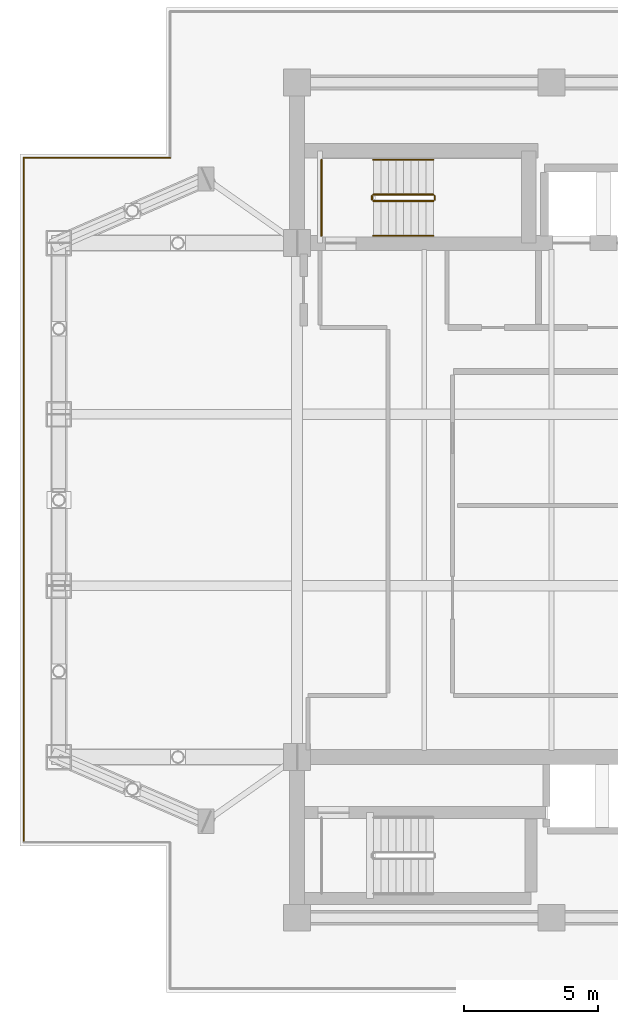
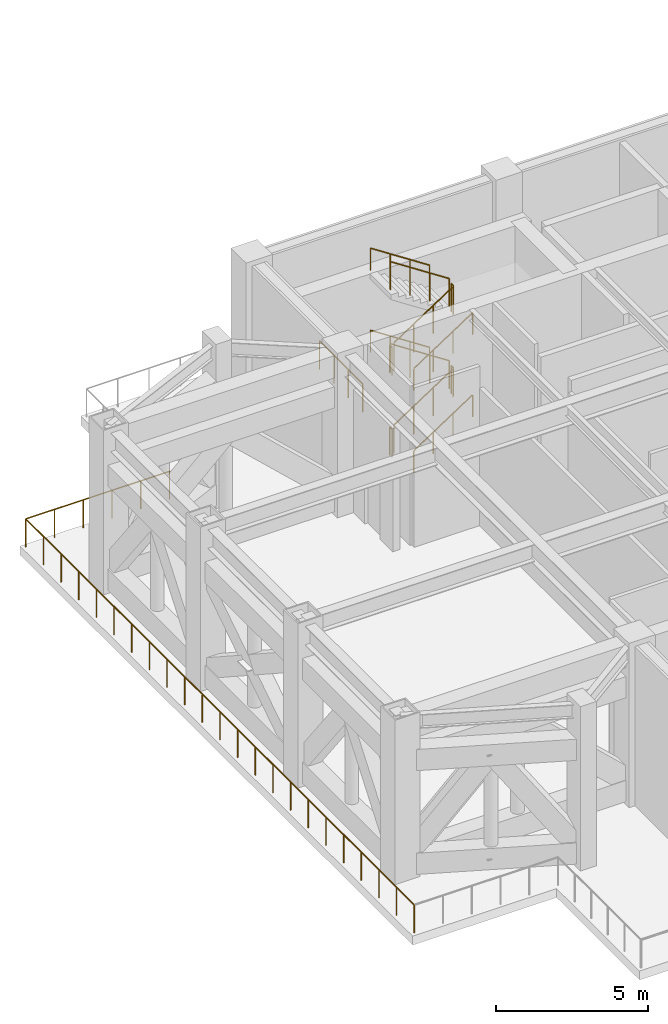
# One storey, part 14 of 18: 15 railings.
"""IFC4 building model written with IfcOpenShell, lengths in metres."""

from ifc_helpers import new_model, si_unit, direction, frame, origin, origin_2d, place, context, subcontext, project, spatial, circle, extrude, material, type_object, element, save


model = new_model("IFC4")

# Units and contexts
model_context = context("Model", 3, precision=1e-05, world=origin(), true_north=direction((0.0, 1.0)))
body_context = subcontext(model_context, "Body", "Model", "MODEL_VIEW")
ifc_project = project(units=[si_unit("LENGTHUNIT", "METRE"), si_unit("AREAUNIT", "SQUARE_METRE"), si_unit("VOLUMEUNIT", "CUBIC_METRE"), si_unit("PLANEANGLEUNIT", "RADIAN"), si_unit("MASSUNIT", "GRAM", prefix="KILO")], contexts=[model_context])

# Site, building, storey
site_placement = place(None, origin())
site = spatial("IfcSite", under=ifc_project, at=site_placement, CompositionType="ELEMENT")
building_placement = place(site_placement, origin())
building = spatial("IfcBuilding", under=site, at=building_placement, Name="Mirazonda Arch Towers", CompositionType="ELEMENT")
storey_placement = place(building_placement, frame((0.0, 0.0, 147.800048828125)))
storey = spatial("IfcBuildingStorey", under=building, at=storey_placement, Name="L42", CompositionType="ELEMENT", Elevation=147.800048828125)

# Railings
ifc_material = material(Name="Architectural Brushed Steel S355", Category="steel")
railing_type_1 = type_object("IfcRailingType", Name="GUARD-EXT-1150", PredefinedType="GUARDRAIL", material=ifc_material)
railing_1_placement = place(storey_placement, frame((6.2548828125, 40.784912109375, 0.0)))
element("IfcRailing", 1, at=railing_1_placement, inside=storey, type_object=railing_type_1, Name="L42 T1 Open Wind-Portal Perimeter Guard 09", PredefinedType="GUARDRAIL", context=body_context, shape_type="SweptSolid", body=[
    extrude(circle(Radius=0.02392578125, at=origin_2d()), frame((0.0, 0.0, 1.1259765625), z_axis=(-1.0, 0.0, 0.0), x_axis=(0.0, -1.0, 0.0)), (0.0, 0.0, 1.0), 5.46484375),
    extrude(circle(Radius=0.02099609375, at=origin_2d()), origin(), (0.0, 0.0, 1.0), 1.101806640625),
    extrude(circle(Radius=0.02099609375, at=origin_2d()), frame((-1.093017578125, 0.0, 0.0)), (0.0, 0.0, 1.0), 1.101806640625),
    extrude(circle(Radius=0.02099609375, at=origin_2d()), frame((-2.18603515625, 0.0, 0.0)), (0.0, 0.0, 1.0), 1.101806640625),
    extrude(circle(Radius=0.02099609375, at=origin_2d()), frame((-3.27880859375, 0.0, 0.0)), (0.0, 0.0, 1.0), 1.101806640625),
    extrude(circle(Radius=0.02099609375, at=origin_2d()), frame((-4.371826171875, 0.0, 0.0)), (0.0, 0.0, 1.0), 1.101806640625),
    extrude(circle(Radius=0.02099609375, at=origin_2d()), frame((-5.46484375, 0.0, 0.0)), (0.0, 0.0, 1.0), 1.101806640625),
])
railing_2_placement = place(storey_placement, frame((0.7900390625, 40.784912109375, 0.0)))
element("IfcRailing", 2, at=railing_2_placement, inside=storey, type_object=railing_type_1, Name="L42 T1 Open Wind-Portal Perimeter Guard 10", PredefinedType="GUARDRAIL", context=body_context, shape_type="SweptSolid", body=[
    extrude(circle(Radius=0.02392578125, at=origin_2d()), frame((0.0, 0.0, 1.1259765625), z_axis=(0.0, -1.0, 0.0), x_axis=(1.0, 0.0, 0.0)), (0.0, 0.0, 1.0), 25.56982421875),
    extrude(circle(Radius=0.02099609375, at=origin_2d()), origin(), (0.0, 0.0, 1.0), 1.101806640625),
    extrude(circle(Radius=0.02099609375, at=origin_2d()), frame((0.0, -1.162353515625, 0.0)), (0.0, 0.0, 1.0), 1.101806640625),
    extrude(circle(Radius=0.02099609375, at=origin_2d()), frame((0.0, -2.324462890625, 0.0)), (0.0, 0.0, 1.0), 1.101806640625),
    extrude(circle(Radius=0.02099609375, at=origin_2d()), frame((0.0, -3.48681640625, 0.0)), (0.0, 0.0, 1.0), 1.101806640625),
    extrude(circle(Radius=0.02099609375, at=origin_2d()), frame((0.0, -4.649169921875, 0.0)), (0.0, 0.0, 1.0), 1.101806640625),
    extrude(circle(Radius=0.02099609375, at=origin_2d()), frame((0.0, -5.811279296875, 0.0)), (0.0, 0.0, 1.0), 1.101806640625),
    extrude(circle(Radius=0.02099609375, at=origin_2d()), frame((0.0, -6.9736328125, 0.0)), (0.0, 0.0, 1.0), 1.101806640625),
    extrude(circle(Radius=0.02099609375, at=origin_2d()), frame((0.0, -8.1357421875, 0.0)), (0.0, 0.0, 1.0), 1.101806640625),
    extrude(circle(Radius=0.02099609375, at=origin_2d()), frame((0.0, -9.298095703125, 0.0)), (0.0, 0.0, 1.0), 1.101806640625),
    extrude(circle(Radius=0.02099609375, at=origin_2d()), frame((0.0, -10.46044921875, 0.0)), (0.0, 0.0, 1.0), 1.101806640625),
    extrude(circle(Radius=0.02099609375, at=origin_2d()), frame((0.0, -11.62255859375, 0.0)), (0.0, 0.0, 1.0), 1.101806640625),
    extrude(circle(Radius=0.02099609375, at=origin_2d()), frame((0.0, -12.784912109375, 0.0)), (0.0, 0.0, 1.0), 1.101806640625),
    extrude(circle(Radius=0.02099609375, at=origin_2d()), frame((0.0, -13.947265625, 0.0)), (0.0, 0.0, 1.0), 1.101806640625),
    extrude(circle(Radius=0.02099609375, at=origin_2d()), frame((0.0, -15.109375, 0.0)), (0.0, 0.0, 1.0), 1.101806640625),
    extrude(circle(Radius=0.02099609375, at=origin_2d()), frame((0.0, -16.271728515625, 0.0)), (0.0, 0.0, 1.0), 1.101806640625),
    extrude(circle(Radius=0.02099609375, at=origin_2d()), frame((0.0, -17.43408203125, 0.0)), (0.0, 0.0, 1.0), 1.101806640625),
    extrude(circle(Radius=0.02099609375, at=origin_2d()), frame((0.0, -18.59619140625, 0.0)), (0.0, 0.0, 1.0), 1.101806640625),
    extrude(circle(Radius=0.02099609375, at=origin_2d()), frame((0.0, -19.758544921875, 0.0)), (0.0, 0.0, 1.0), 1.101806640625),
    extrude(circle(Radius=0.02099609375, at=origin_2d()), frame((0.0, -20.920654296875, 0.0)), (0.0, 0.0, 1.0), 1.101806640625),
    extrude(circle(Radius=0.02099609375, at=origin_2d()), frame((0.0, -22.0830078125, 0.0)), (0.0, 0.0, 1.0), 1.101806640625),
    extrude(circle(Radius=0.02099609375, at=origin_2d()), frame((0.0, -23.245361328125, 0.0)), (0.0, 0.0, 1.0), 1.101806640625),
    extrude(circle(Radius=0.02099609375, at=origin_2d()), frame((0.0, -24.407470703125, 0.0)), (0.0, 0.0, 1.0), 1.101806640625),
    extrude(circle(Radius=0.02099609375, at=origin_2d()), frame((0.0, -25.56982421875, 0.0)), (0.0, 0.0, 1.0), 1.101806640625),
])
railing_type_2 = type_object("IfcRailingType", Name="GUARD-STAIR-1120", PredefinedType="GUARDRAIL", material=ifc_material)
railing_3_placement = place(storey_placement, frame((13.85009765625, 39.169921875, 0.183349609375)))
element("IfcRailing", 3, at=railing_3_placement, inside=storey, type_object=railing_type_2, Name="L42 ST-T1N stair guard 1", PredefinedType="GUARDRAIL", context=body_context, shape_type="SweptSolid", body=[
    extrude(circle(Radius=0.02392578125, at=origin_2d()), frame((0.0, 0.0, 1.1259765625), z_axis=(0.836636935527, 0.0, 0.547757827979), x_axis=(0.0, 1.0, 0.0)), (0.0, 0.0, 1.0), 2.677490234375),
    extrude(circle(Radius=0.02099609375, at=origin_2d()), origin(), (0.0, 0.0, 1.0), 1.101806640625),
    extrude(circle(Radius=0.02099609375, at=origin_2d()), frame((0.74658203125, 0.0, 0.48876953125)), (0.0, 0.0, 1.0), 1.101806640625),
    extrude(circle(Radius=0.02099609375, at=origin_2d()), frame((1.493408203125, 0.0, 0.977783203125)), (0.0, 0.0, 1.0), 1.101806640625),
    extrude(circle(Radius=0.02099609375, at=origin_2d()), frame((2.239990234375, 0.0, 1.466552734375)), (0.0, 0.0, 1.0), 1.101806640625),
])
railing_4_placement = place(storey_placement, frame((16.139892578125, 39.219970703125, 1.64990234375)))
element("IfcRailing", 4, at=railing_4_placement, inside=storey, type_object=railing_type_2, Name="L42 ST-T1N stair guard 2", PredefinedType="GUARDRAIL", context=body_context, shape_type="SweptSolid", body=[
    extrude(circle(Radius=0.02392578125, at=origin_2d()), frame((0.0, 0.0, 1.1259765625), z_axis=(0.0, 1.0, 0.0), x_axis=(-1.0, 0.0, 0.0)), (0.0, 0.0, 1.0), 0.14013671875),
    extrude(circle(Radius=0.02099609375, at=origin_2d()), origin(), (0.0, 0.0, 1.0), 1.101806640625),
    extrude(circle(Radius=0.02099609375, at=origin_2d()), frame((0.0, 0.14013671875, 0.0)), (0.0, 0.0, 1.0), 1.101806640625),
])
railing_5_placement = place(storey_placement, frame((16.090087890625, 39.409912109375, 1.833251953125)))
element("IfcRailing", 5, at=railing_5_placement, inside=storey, type_object=railing_type_2, Name="L42 ST-T1N stair guard 3", PredefinedType="GUARDRAIL", context=body_context, shape_type="SweptSolid", body=[
    extrude(circle(Radius=0.02392578125, at=origin_2d()), frame((0.0, 0.0, 1.1259765625), z_axis=(-0.836595146698, 0.0, 0.547821650285), x_axis=(0.0, -1.0, 0.0)), (0.0, 0.0, 1.0), 2.677490234375),
    extrude(circle(Radius=0.02099609375, at=origin_2d()), origin(), (0.0, 0.0, 1.0), 1.101806640625),
    extrude(circle(Radius=0.02099609375, at=origin_2d()), frame((-0.74658203125, 0.0, 0.489013671875)), (0.0, 0.0, 1.0), 1.101806640625),
    extrude(circle(Radius=0.02099609375, at=origin_2d()), frame((-1.493408203125, 0.0, 0.977783203125)), (0.0, 0.0, 1.0), 1.101806640625),
    extrude(circle(Radius=0.02099609375, at=origin_2d()), frame((-2.239990234375, 0.0, 1.466796875)), (0.0, 0.0, 1.0), 1.101806640625),
])
railing_6_placement = place(storey_placement, frame((13.800048828125, 39.219970703125, 3.300048828125)))
element("IfcRailing", 6, at=railing_6_placement, inside=storey, type_object=railing_type_2, Name="L42 ST-T1N stair guard 4", PredefinedType="GUARDRAIL", context=body_context, shape_type="SweptSolid", body=[
    extrude(circle(Radius=0.02392578125, at=origin_2d()), frame((0.0, 0.0, 1.1259765625), z_axis=(0.0, 1.0, 0.0), x_axis=(-1.0, 0.0, 0.0)), (0.0, 0.0, 1.0), 0.14013671875),
    extrude(circle(Radius=0.02099609375, at=origin_2d()), origin(), (0.0, 0.0, 1.0), 1.101806640625),
    extrude(circle(Radius=0.02099609375, at=origin_2d()), frame((0.0, 0.14013671875, 0.0)), (0.0, 0.0, 1.0), 1.101806640625),
])
railing_7_placement = place(storey_placement, frame((13.85009765625, 39.169921875, 3.4833984375)))
element("IfcRailing", 7, at=railing_7_placement, inside=storey, type_object=railing_type_2, Name="L42 ST-T1N stair guard 5", PredefinedType="GUARDRAIL", context=body_context, shape_type="SweptSolid", body=[
    extrude(circle(Radius=0.02392578125, at=origin_2d()), frame((0.0, 0.0, 1.1259765625), z_axis=(0.836636935527, 0.0, 0.547757827979), x_axis=(0.0, 1.0, 0.0)), (0.0, 0.0, 1.0), 2.677490234375),
    extrude(circle(Radius=0.02099609375, at=origin_2d()), origin(), (0.0, 0.0, 1.0), 1.101806640625),
    extrude(circle(Radius=0.02099609375, at=origin_2d()), frame((0.74658203125, 0.0, 0.48876953125)), (0.0, 0.0, 1.0), 1.101806640625),
    extrude(circle(Radius=0.02099609375, at=origin_2d()), frame((1.493408203125, 0.0, 0.977783203125)), (0.0, 0.0, 1.0), 1.101806640625),
    extrude(circle(Radius=0.02099609375, at=origin_2d()), frame((2.239990234375, 0.0, 1.466552734375)), (0.0, 0.0, 1.0), 1.101806640625),
])
railing_8_placement = place(storey_placement, frame((16.139892578125, 39.219970703125, 4.949951171875)))
element("IfcRailing", 8, at=railing_8_placement, inside=storey, type_object=railing_type_2, Name="L42 ST-T1N stair guard 6", PredefinedType="GUARDRAIL", context=body_context, shape_type="SweptSolid", body=[
    extrude(circle(Radius=0.02392578125, at=origin_2d()), frame((0.0, 0.0, 1.1259765625), z_axis=(0.0, 1.0, 0.0), x_axis=(-1.0, 0.0, 0.0)), (0.0, 0.0, 1.0), 0.14013671875),
    extrude(circle(Radius=0.02099609375, at=origin_2d()), origin(), (0.0, 0.0, 1.0), 1.101806640625),
    extrude(circle(Radius=0.02099609375, at=origin_2d()), frame((0.0, 0.14013671875, 0.0)), (0.0, 0.0, 1.0), 1.101806640625),
])
railing_9_placement = place(storey_placement, frame((16.090087890625, 39.409912109375, 5.13330078125)))
element("IfcRailing", 9, at=railing_9_placement, inside=storey, type_object=railing_type_2, Name="L42 ST-T1N stair guard 7", PredefinedType="GUARDRAIL", context=body_context, shape_type="SweptSolid", body=[
    extrude(circle(Radius=0.02392578125, at=origin_2d()), frame((0.0, 0.0, 1.1259765625), z_axis=(-0.836636935527, 0.0, 0.547757827979), x_axis=(0.0, -1.0, 0.0)), (0.0, 0.0, 1.0), 2.677490234375),
    extrude(circle(Radius=0.02099609375, at=origin_2d()), origin(), (0.0, 0.0, 1.0), 1.101806640625),
    extrude(circle(Radius=0.02099609375, at=origin_2d()), frame((-0.74658203125, 0.0, 0.48876953125)), (0.0, 0.0, 1.0), 1.101806640625),
    extrude(circle(Radius=0.02099609375, at=origin_2d()), frame((-1.493408203125, 0.0, 0.977783203125)), (0.0, 0.0, 1.0), 1.101806640625),
    extrude(circle(Radius=0.02099609375, at=origin_2d()), frame((-2.239990234375, 0.0, 1.466552734375)), (0.0, 0.0, 1.0), 1.101806640625),
])
railing_10_placement = place(storey_placement, frame((13.800048828125, 39.219970703125, 0.0)))
element("IfcRailing", 10, at=railing_10_placement, inside=storey, type_object=railing_type_2, Name="L42 ST-T1N stair guard 8", PredefinedType="GUARDRAIL", context=body_context, shape_type="SweptSolid", body=[
    extrude(circle(Radius=0.02392578125, at=origin_2d()), frame((0.0, 0.0, 1.1259765625), z_axis=(0.0, 1.0, 0.0), x_axis=(-1.0, 0.0, 0.0)), (0.0, 0.0, 1.0), 0.14013671875),
    extrude(circle(Radius=0.02099609375, at=origin_2d()), origin(), (0.0, 0.0, 1.0), 1.101806640625),
    extrude(circle(Radius=0.02099609375, at=origin_2d()), frame((0.0, 0.14013671875, 0.0)), (0.0, 0.0, 1.0), 1.101806640625),
])
railing_11_placement = place(storey_placement, frame((11.909912109375, 37.8701171875, 3.300048828125)))
element("IfcRailing", 11, at=railing_11_placement, inside=storey, type_object=railing_type_2, Name="L42 ST-T1N stair guard 9", PredefinedType="GUARDRAIL", context=body_context, shape_type="SweptSolid", body=[
    extrude(circle(Radius=0.02392578125, at=origin_2d()), frame((0.0, 0.0, 1.1259765625), z_axis=(0.0, 1.0, 0.0), x_axis=(-1.0, 0.0, 0.0)), (0.0, 0.0, 1.0), 2.83984375),
    extrude(circle(Radius=0.02099609375, at=origin_2d()), origin(), (0.0, 0.0, 1.0), 1.101806640625),
    extrude(circle(Radius=0.02099609375, at=origin_2d()), frame((0.0, 0.946533203125, 0.0)), (0.0, 0.0, 1.0), 1.101806640625),
    extrude(circle(Radius=0.02099609375, at=origin_2d()), frame((0.0, 1.893310546875, 0.0)), (0.0, 0.0, 1.0), 1.101806640625),
    extrude(circle(Radius=0.02099609375, at=origin_2d()), frame((0.0, 2.83984375, 0.0)), (0.0, 0.0, 1.0), 1.101806640625),
])
railing_type_3 = type_object("IfcRailingType", Name="HANDRAIL-915", PredefinedType="HANDRAIL", material=ifc_material)
railing_12_placement = place(storey_placement, frame((13.85009765625, 37.8701171875, 0.183349609375)))
element("IfcRailing", 12, at=railing_12_placement, inside=storey, type_object=railing_type_3, Name="L42 ST-T1N stair handrail 1", PredefinedType="HANDRAIL", context=body_context, shape_type="SweptSolid", body=[
    extrude(circle(Radius=0.02392578125, at=origin_2d()), frame((0.0, 0.0, 0.8759765625), z_axis=(0.836636935527, 0.0, 0.547757827979), x_axis=(0.0, 1.0, 0.0)), (0.0, 0.0, 1.0), 2.677490234375),
    extrude(circle(Radius=0.02099609375, at=origin_2d()), origin(), (0.0, 0.0, 1.0), 0.851806640625),
    extrude(circle(Radius=0.02099609375, at=origin_2d()), frame((0.74658203125, 0.0, 0.48876953125)), (0.0, 0.0, 1.0), 0.851806640625),
    extrude(circle(Radius=0.02099609375, at=origin_2d()), frame((1.493408203125, 0.0, 0.977783203125)), (0.0, 0.0, 1.0), 0.851806640625),
    extrude(circle(Radius=0.02099609375, at=origin_2d()), frame((2.239990234375, 0.0, 1.466552734375)), (0.0, 0.0, 1.0), 0.851806640625),
])
railing_13_placement = place(storey_placement, frame((16.090087890625, 40.7099609375, 1.833251953125)))
element("IfcRailing", 13, at=railing_13_placement, inside=storey, type_object=railing_type_3, Name="L42 ST-T1N stair handrail 2", PredefinedType="HANDRAIL", context=body_context, shape_type="SweptSolid", body=[
    extrude(circle(Radius=0.02392578125, at=origin_2d()), frame((0.0, 0.0, 0.8759765625), z_axis=(-0.836595146698, 0.0, 0.547821650285), x_axis=(0.0, -1.0, 0.0)), (0.0, 0.0, 1.0), 2.677490234375),
    extrude(circle(Radius=0.02099609375, at=origin_2d()), origin(), (0.0, 0.0, 1.0), 0.851806640625),
    extrude(circle(Radius=0.02099609375, at=origin_2d()), frame((-0.74658203125, 0.0, 0.489013671875)), (0.0, 0.0, 1.0), 0.851806640625),
    extrude(circle(Radius=0.02099609375, at=origin_2d()), frame((-1.493408203125, 0.0, 0.977783203125)), (0.0, 0.0, 1.0), 0.851806640625),
    extrude(circle(Radius=0.02099609375, at=origin_2d()), frame((-2.239990234375, 0.0, 1.466796875)), (0.0, 0.0, 1.0), 0.851806640625),
])
railing_14_placement = place(storey_placement, frame((13.85009765625, 37.8701171875, 3.4833984375)))
element("IfcRailing", 14, at=railing_14_placement, inside=storey, type_object=railing_type_3, Name="L42 ST-T1N stair handrail 3", PredefinedType="HANDRAIL", context=body_context, shape_type="SweptSolid", body=[
    extrude(circle(Radius=0.02392578125, at=origin_2d()), frame((0.0, 0.0, 0.8759765625), z_axis=(0.836636935527, 0.0, 0.547757827979), x_axis=(0.0, 1.0, 0.0)), (0.0, 0.0, 1.0), 2.677490234375),
    extrude(circle(Radius=0.02099609375, at=origin_2d()), origin(), (0.0, 0.0, 1.0), 0.851806640625),
    extrude(circle(Radius=0.02099609375, at=origin_2d()), frame((0.74658203125, 0.0, 0.48876953125)), (0.0, 0.0, 1.0), 0.851806640625),
    extrude(circle(Radius=0.02099609375, at=origin_2d()), frame((1.493408203125, 0.0, 0.977783203125)), (0.0, 0.0, 1.0), 0.851806640625),
    extrude(circle(Radius=0.02099609375, at=origin_2d()), frame((2.239990234375, 0.0, 1.466552734375)), (0.0, 0.0, 1.0), 0.851806640625),
])
railing_15_placement = place(storey_placement, frame((16.090087890625, 40.7099609375, 5.13330078125)))
element("IfcRailing", 15, at=railing_15_placement, inside=storey, type_object=railing_type_3, Name="L42 ST-T1N stair handrail 4", PredefinedType="HANDRAIL", context=body_context, shape_type="SweptSolid", body=[
    extrude(circle(Radius=0.02392578125, at=origin_2d()), frame((0.0, 0.0, 0.8759765625), z_axis=(-0.836636935527, 0.0, 0.547757827979), x_axis=(0.0, -1.0, 0.0)), (0.0, 0.0, 1.0), 2.677490234375),
    extrude(circle(Radius=0.02099609375, at=origin_2d()), origin(), (0.0, 0.0, 1.0), 0.851806640625),
    extrude(circle(Radius=0.02099609375, at=origin_2d()), frame((-0.74658203125, 0.0, 0.48876953125)), (0.0, 0.0, 1.0), 0.851806640625),
    extrude(circle(Radius=0.02099609375, at=origin_2d()), frame((-1.493408203125, 0.0, 0.977783203125)), (0.0, 0.0, 1.0), 0.851806640625),
    extrude(circle(Radius=0.02099609375, at=origin_2d()), frame((-2.239990234375, 0.0, 1.466552734375)), (0.0, 0.0, 1.0), 0.851806640625),
])

save(model, "model.ifc")
